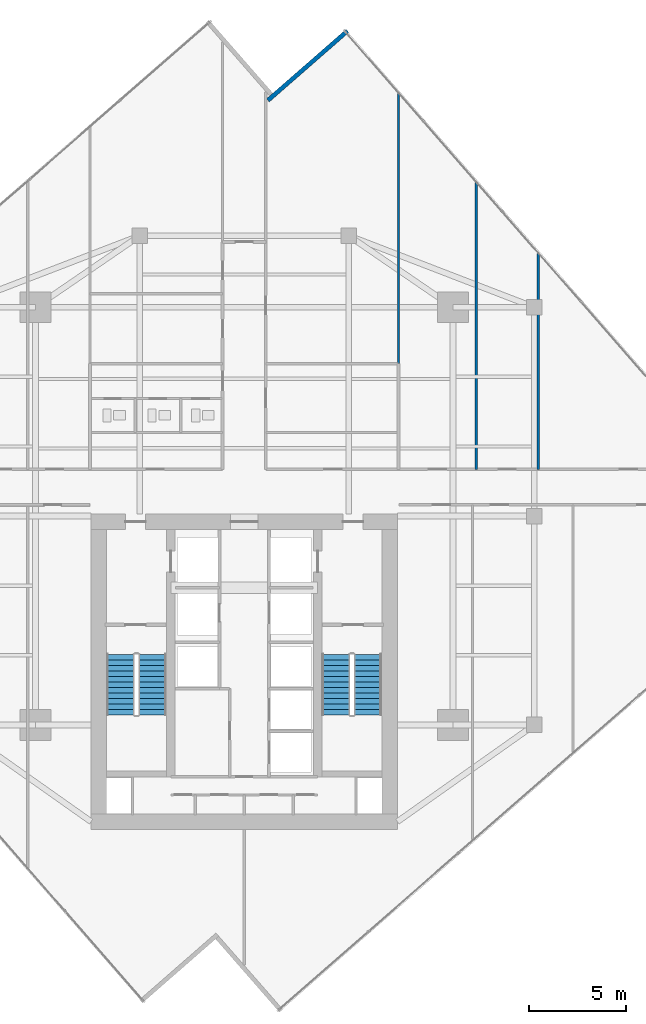
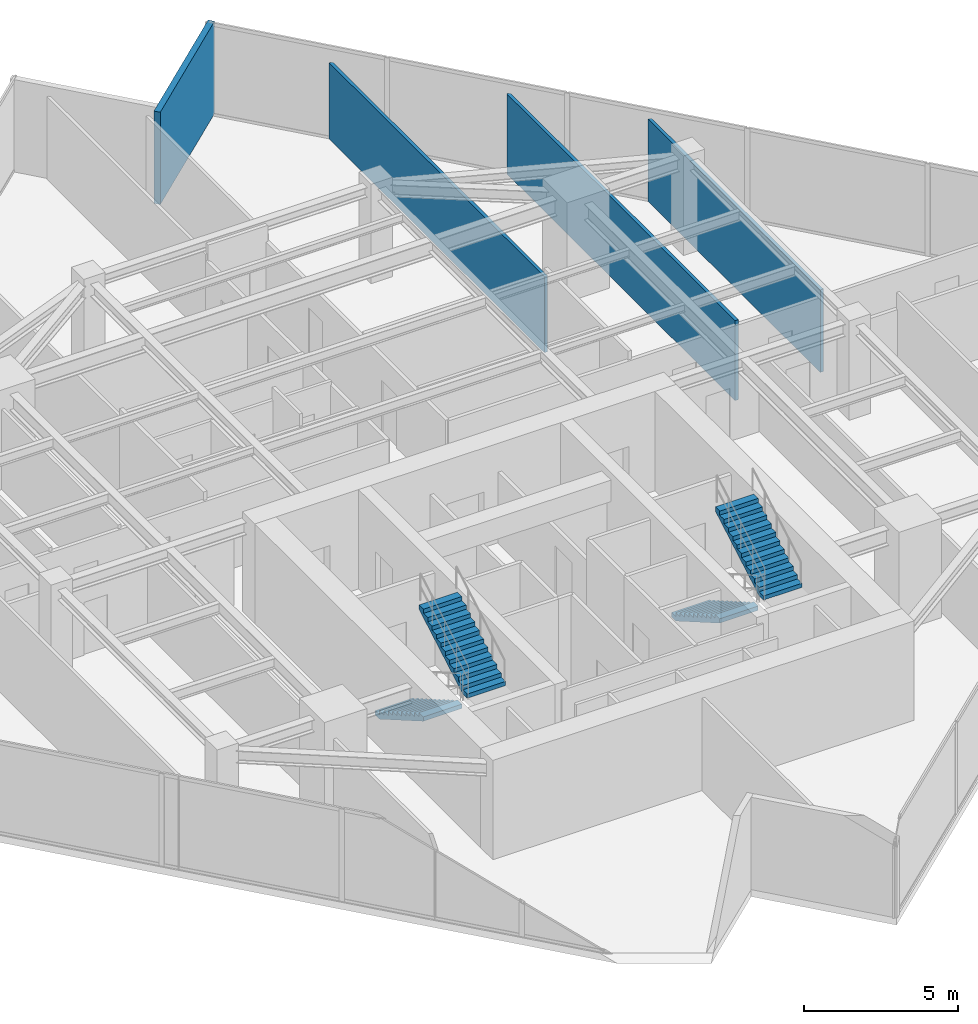
# One storey, part 22 of 24: 4 stair flights, 4 walls, 2 elements without a shape of their own.
"""IFC4 building model written with IfcOpenShell, lengths in metres."""

from ifc_helpers import new_model, si_unit, direction, frame, frame_2d, origin, place, context, subcontext, project, spatial, polyline, rectangle, outline, extrude, material, layer, layer_set, type_object, element, aggregate, save


model = new_model("IFC4")

# Units and contexts
model_context = context("Model", 3, precision=1e-05, world=origin(), true_north=direction((0.0, 1.0)))
body_context = subcontext(model_context, "Body", "Model", "MODEL_VIEW")
ifc_project = project(units=[si_unit("LENGTHUNIT", "METRE"), si_unit("AREAUNIT", "SQUARE_METRE"), si_unit("VOLUMEUNIT", "CUBIC_METRE"), si_unit("PLANEANGLEUNIT", "RADIAN"), si_unit("MASSUNIT", "GRAM", prefix="KILO")], contexts=[model_context])

# Site, building, storey
site_placement = place(None, origin())
site = spatial("IfcSite", under=ifc_project, at=site_placement, CompositionType="ELEMENT")
building_placement = place(site_placement, origin())
building = spatial("IfcBuilding", under=site, at=building_placement, Name="Krantzveldt Concourse Tower", CompositionType="ELEMENT")
storey_placement = place(building_placement, frame((0.0, 0.0, 254.699951171875)))
storey = spatial("IfcBuildingStorey", under=building, at=storey_placement, Name="L62", CompositionType="ELEMENT", Elevation=254.699951171875)

# Walls
ifc_material_1 = material(Name="Anodised aluminium 6063-T6", Category="aluminium")
ifc_layer_1 = layer(ifc_material_1, 0.219970703125, Name="Anodised aluminium 6063-T6", Category="aluminium")
ifc_layer_set_1 = layer_set([ifc_layer_1], Name="Anodised aluminium 6063-T6 (WL-EXT-NOTCH220)")
wall_type_1 = type_object("IfcWallType", Name="WL-EXT-NOTCH220", PredefinedType="ELEMENTEDWALL", material=ifc_layer_set_1)
wall_1_placement = place(storey_placement, frame((41.3388671875, 51.792236328125, 0.0), z_axis=(0.0, 0.0, 1.0), x_axis=(-0.753268767402, -0.657712827955, 0.0)))
element("IfcWall", 1, at=wall_1_placement, inside=storey, type_object=wall_type_1, Name="EW-L62-NCH11", PredefinedType="ELEMENTEDWALL", context=body_context, shape_type="SweptSolid", body=[
    extrude(rectangle(XDim=5.4599609375, YDim=0.219970703125, at=frame_2d((2.72998046875, 0.0))), origin(), (0.0, 0.0, 1.0), 3.670166015625),
])
ifc_material_2 = material(Name="Fire-rated gypsum plasterboard on steel stud", Category="steel")
ifc_layer_2 = layer(ifc_material_2, 0.1201171875, Name="Fire-rated gypsum plasterboard on steel stud", Category="steel")
ifc_layer_set_2 = layer_set([ifc_layer_2], Name="Fire-rated gypsum plasterboard on steel stud (WL-PART-120)")
wall_type_2 = type_object("IfcWallType", Name="WL-PART-120", PredefinedType="PARTITIONING", material=ifc_layer_set_2)
wall_2_placement = place(storey_placement, frame((43.97998046875, 34.580078125, 0.0), z_axis=(0.0, 0.0, 1.0), x_axis=(0.0, 1.0, 0.0)))
element("IfcWall", 2, at=wall_2_placement, inside=storey, type_object=wall_type_2, Name="WP-L62-ISER2", PredefinedType="PARTITIONING", context=body_context, shape_type="SweptSolid", body=[
    extrude(rectangle(XDim=14.012451171875, YDim=0.1201171875, at=frame_2d((7.00634765625, 0.0))), origin(), (0.0, 0.0, 1.0), 3.030029296875),
])
wall_3_placement = place(storey_placement, frame((48.0, 29.1201171875, 0.0), z_axis=(0.0, 0.0, 1.0), x_axis=(0.0, 1.0, 0.0)))
element("IfcWall", 3, at=wall_3_placement, inside=storey, type_object=wall_type_2, Name="WP-L62-NEX1", PredefinedType="PARTITIONING", context=body_context, shape_type="SweptSolid", body=[
    extrude(rectangle(XDim=14.868408203125, YDim=0.1201171875, at=frame_2d((7.43408203125, 0.0))), origin(), (0.0, 0.0, 1.0), 3.179931640625),
])
wall_4_placement = place(storey_placement, frame((51.199951171875, 29.1201171875, 0.0), z_axis=(0.0, 0.0, 1.0), x_axis=(0.0, 1.0, 0.0)))
element("IfcWall", 4, at=wall_4_placement, inside=storey, type_object=wall_type_2, Name="WP-L62-NEX2", PredefinedType="PARTITIONING", context=body_context, shape_type="SweptSolid", body=[
    extrude(rectangle(XDim=11.203369140625, YDim=0.1201171875, at=frame_2d((5.6015625, 0.0))), origin(), (0.0, 0.0, 1.0), 3.280029296875),
])

# Stair, stair flights
ifc_material_3 = material(Name="Precast concrete C40/50", Category="concrete")
stair_type = type_object("IfcStairType", Name="STR-CORE-DOGLEG", PredefinedType="HALF_TURN_STAIR", material=ifc_material_3)
stair_1_placement = place(storey_placement, origin())
stair_1 = element("IfcStair", 5, at=stair_1_placement, inside=storey, type_object=stair_type, Name="L62 Protected Escape Stair ST-1", PredefinedType="HALF_TURN_STAIR")
stair_flight_type = type_object("IfcStairFlightType", Name="STF-CORE-1450", PredefinedType="STRAIGHT", material=ifc_material_3)
stair_flight_1_placement = place(storey_placement, frame((29.60498046875, 19.550048828125, 0.0), z_axis=(0.0, 0.0, 1.0), x_axis=(0.0, -1.0, 0.0)))
stair_flight_1 = element("IfcStairFlight", 6, at=stair_flight_1_placement, type_object=stair_flight_type, Name="ST-1 flight 1", NumberOfRisers=12, NumberOfTreads=11, PredefinedType="STRAIGHT", RiserHeight=0.164583333, TreadLength=0.285, context=body_context, shape_type="SweptSolid", body=[
    extrude(outline(polyline([(0.0, 0.0), (0.0, 0.16455078125), (0.284912109375, 0.16455078125), (0.284912109375, 0.3291015625), (0.570068359375, 0.3291015625), (0.570068359375, 0.49365234375), (0.85498046875, 0.49365234375), (0.85498046875, 0.658447265625), (1.139892578125, 0.658447265625), (1.139892578125, 0.822998046875), (1.425048828125, 0.822998046875), (1.425048828125, 0.987548828125), (1.7099609375, 0.987548828125), (1.7099609375, 1.152099609375), (1.9951171875, 1.152099609375), (1.9951171875, 1.316650390625), (2.280029296875, 1.316650390625), (2.280029296875, 1.481201171875), (2.56494140625, 1.481201171875), (2.56494140625, 1.645751953125), (2.85009765625, 1.645751953125), (2.85009765625, 1.810302734375), (3.135009765625, 1.810302734375), (3.135009765625, 1.97509765625), (3.135009765625, 1.63720703125), (0.2998046875, 0.0), (0.0, 0.0)])), frame((0.0, 0.72509765625, 0.0), z_axis=(0.0, -1.0, 0.0), x_axis=(1.0, 0.0, 0.0)), (0.0, 0.0, 1.0), 1.449951171875),
])
stair_flight_2_placement = place(storey_placement, frame((31.2548828125, 16.4150390625, 1.97509765625), z_axis=(0.0, 0.0, 1.0), x_axis=(0.0, 1.0, 0.0)))
stair_flight_2 = element("IfcStairFlight", 7, at=stair_flight_2_placement, type_object=stair_flight_type, Name="ST-1 flight 2", NumberOfRisers=12, NumberOfTreads=11, PredefinedType="STRAIGHT", RiserHeight=0.164583333, TreadLength=0.285, context=body_context, shape_type="SweptSolid", body=[
    extrude(outline(polyline([(0.0, 0.0), (0.0, 0.16455078125), (0.284912109375, 0.16455078125), (0.284912109375, 0.3291015625), (0.570068359375, 0.3291015625), (0.570068359375, 0.49365234375), (0.85498046875, 0.49365234375), (0.85498046875, 0.658447265625), (1.139892578125, 0.658447265625), (1.139892578125, 0.822998046875), (1.425048828125, 0.822998046875), (1.425048828125, 0.987548828125), (1.7099609375, 0.987548828125), (1.7099609375, 1.152099609375), (1.9951171875, 1.152099609375), (1.9951171875, 1.316650390625), (2.280029296875, 1.316650390625), (2.280029296875, 1.481201171875), (2.56494140625, 1.481201171875), (2.56494140625, 1.645751953125), (2.85009765625, 1.645751953125), (2.85009765625, 1.810302734375), (3.135009765625, 1.810302734375), (3.135009765625, 1.97509765625), (3.135009765625, 1.63720703125), (0.2998046875, 0.0), (0.0, 0.0)])), frame((0.0, 0.72509765625, 0.0), z_axis=(0.0, -1.0, 0.0), x_axis=(1.0, 0.0, 0.0)), (0.0, 0.0, 1.0), 1.449951171875),
])
aggregate(stair_1, [stair_flight_1, stair_flight_2])

stair_2_placement = place(storey_placement, origin())
stair_2 = element("IfcStair", 8, at=stair_2_placement, inside=storey, type_object=stair_type, Name="L62 Protected Escape Stair ST-2", PredefinedType="HALF_TURN_STAIR")
stair_flight_3_placement = place(storey_placement, frame((40.7451171875, 19.550048828125, 0.0), z_axis=(0.0, 0.0, 1.0), x_axis=(0.0, -1.0, 0.0)))
stair_flight_3 = element("IfcStairFlight", 9, at=stair_flight_3_placement, type_object=stair_flight_type, Name="ST-2 flight 1", NumberOfRisers=12, NumberOfTreads=11, PredefinedType="STRAIGHT", RiserHeight=0.164583333, TreadLength=0.285, context=body_context, shape_type="SweptSolid", body=[
    extrude(outline(polyline([(0.0, 0.0), (0.0, 0.16455078125), (0.284912109375, 0.16455078125), (0.284912109375, 0.3291015625), (0.570068359375, 0.3291015625), (0.570068359375, 0.49365234375), (0.85498046875, 0.49365234375), (0.85498046875, 0.658447265625), (1.139892578125, 0.658447265625), (1.139892578125, 0.822998046875), (1.425048828125, 0.822998046875), (1.425048828125, 0.987548828125), (1.7099609375, 0.987548828125), (1.7099609375, 1.152099609375), (1.9951171875, 1.152099609375), (1.9951171875, 1.316650390625), (2.280029296875, 1.316650390625), (2.280029296875, 1.481201171875), (2.56494140625, 1.481201171875), (2.56494140625, 1.645751953125), (2.85009765625, 1.645751953125), (2.85009765625, 1.810302734375), (3.135009765625, 1.810302734375), (3.135009765625, 1.97509765625), (3.135009765625, 1.63720703125), (0.2998046875, 0.0), (0.0, 0.0)])), frame((0.0, 0.72509765625, 0.0), z_axis=(0.0, -1.0, 0.0), x_axis=(1.0, 0.0, 0.0)), (0.0, 0.0, 1.0), 1.449951171875),
])
stair_flight_4_placement = place(storey_placement, frame((42.39501953125, 16.4150390625, 1.97509765625), z_axis=(0.0, 0.0, 1.0), x_axis=(0.0, 1.0, 0.0)))
stair_flight_4 = element("IfcStairFlight", 10, at=stair_flight_4_placement, type_object=stair_flight_type, Name="ST-2 flight 2", NumberOfRisers=12, NumberOfTreads=11, PredefinedType="STRAIGHT", RiserHeight=0.164583333, TreadLength=0.285, context=body_context, shape_type="SweptSolid", body=[
    extrude(outline(polyline([(0.0, 0.0), (0.0, 0.16455078125), (0.284912109375, 0.16455078125), (0.284912109375, 0.3291015625), (0.570068359375, 0.3291015625), (0.570068359375, 0.49365234375), (0.85498046875, 0.49365234375), (0.85498046875, 0.658447265625), (1.139892578125, 0.658447265625), (1.139892578125, 0.822998046875), (1.425048828125, 0.822998046875), (1.425048828125, 0.987548828125), (1.7099609375, 0.987548828125), (1.7099609375, 1.152099609375), (1.9951171875, 1.152099609375), (1.9951171875, 1.316650390625), (2.280029296875, 1.316650390625), (2.280029296875, 1.481201171875), (2.56494140625, 1.481201171875), (2.56494140625, 1.645751953125), (2.85009765625, 1.645751953125), (2.85009765625, 1.810302734375), (3.135009765625, 1.810302734375), (3.135009765625, 1.97509765625), (3.135009765625, 1.63720703125), (0.2998046875, 0.0), (0.0, 0.0)])), frame((0.0, 0.72509765625, 0.0), z_axis=(0.0, -1.0, 0.0), x_axis=(1.0, 0.0, 0.0)), (0.0, 0.0, 1.0), 1.449951171875),
])
aggregate(stair_2, [stair_flight_3, stair_flight_4])

save(model, "model.ifc")
